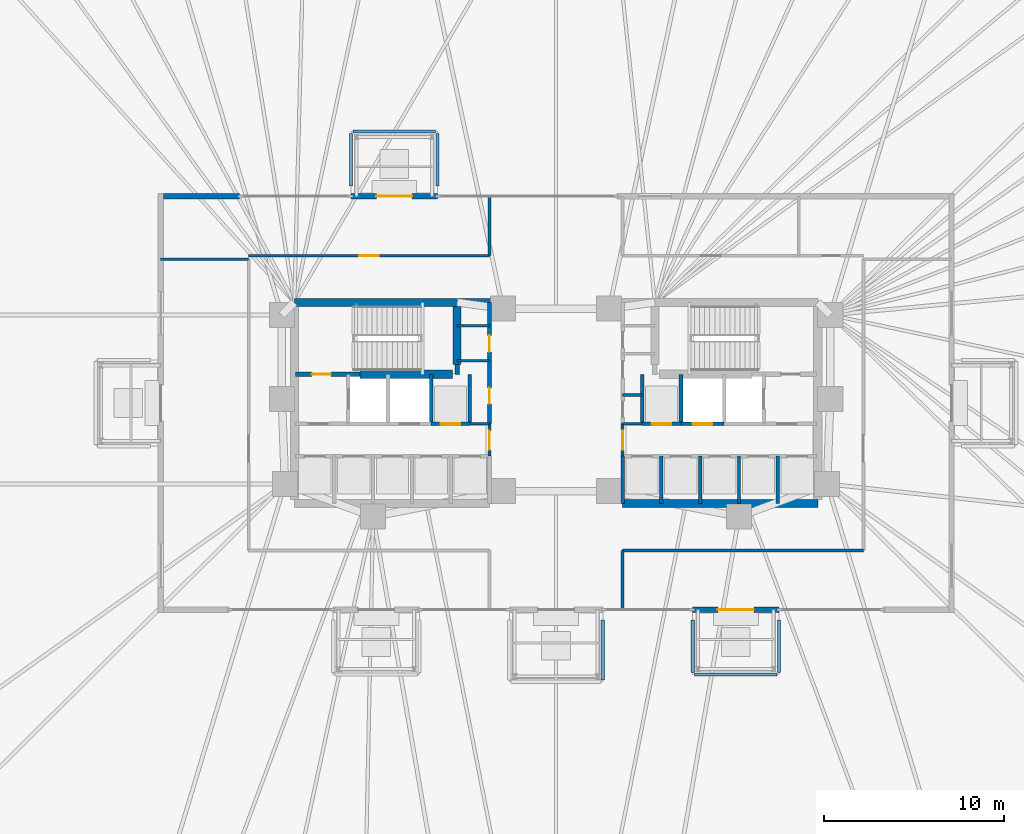
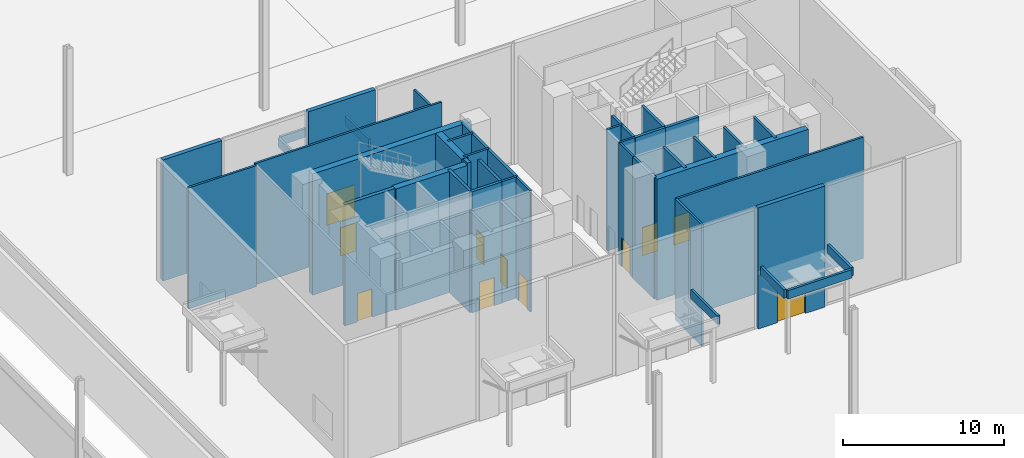
# One storey, part 19 of 24: 41 walls, 11 doors, 11 openings.
"""IFC4 building model written with IfcOpenShell, lengths in metres."""

from ifc_helpers import new_model, si_unit, direction, frame, frame_2d, origin, place, context, subcontext, project, spatial, rectangle, extrude, material, layer, layer_set, type_object, element, fill, save


model = new_model("IFC4")

# Units and contexts
model_context = context("Model", 3, precision=1e-05, world=origin(), true_north=direction((0.0, 1.0)))
body_context = subcontext(model_context, "Body", "Model", "MODEL_VIEW")
ifc_project = project(units=[si_unit("LENGTHUNIT", "METRE"), si_unit("AREAUNIT", "SQUARE_METRE"), si_unit("VOLUMEUNIT", "CUBIC_METRE"), si_unit("PLANEANGLEUNIT", "RADIAN"), si_unit("MASSUNIT", "GRAM", prefix="KILO")], contexts=[model_context])

# Site, building, storey
site_placement = place(None, origin())
site = spatial("IfcSite", under=ifc_project, at=site_placement, CompositionType="ELEMENT")
building_placement = place(site_placement, origin())
building = spatial("IfcBuilding", under=site, at=building_placement, Name="Menara Jurai Vektor", CompositionType="ELEMENT")
storey_placement = place(building_placement, origin())
storey = spatial("IfcBuildingStorey", under=building, at=storey_placement, Name="L00", CompositionType="ELEMENT", Elevation=0.0)

# Wall, opening, door
ifc_material_1 = material(Name="Insulated Pale Aluminium Spandrel Wall", Category="aluminium")
ifc_layer_1 = layer(ifc_material_1, 0.300048828125)
ifc_layer_set_1 = layer_set([ifc_layer_1], Name="Insulated Pale Aluminium Spandrel Wall")
wall_type_1 = type_object("IfcWallType", Name="ENV-WALL-EXT300", PredefinedType="STANDARD", material=ifc_layer_set_1)
wall_1_placement = place(storey_placement, frame((7.60009765625, -11.5, 0.0), z_axis=(0.0, 0.0, 1.0), x_axis=(1.0, 0.0, 0.0)))
wall_1 = element("IfcWall", 1, at=wall_1_placement, inside=storey, type_object=wall_type_1, Name="Ground Lobby External Wall S-E3", PredefinedType="STANDARD", context=body_context, shape_type="SweptSolid", body=[
    extrude(rectangle(XDim=4.7998046875, YDim=0.300048828125, at=frame_2d((2.39990234375, 0.0))), origin(), (0.0, 0.0, 1.0), 9.195068359375),
])
opening_1_placement = place(wall_1_placement, frame((1.39990234375, 0.0, 0.0)))
opening_1 = element("IfcOpeningElement", 2, at=opening_1_placement, cuts=wall_1, Name="Opening E3", PredefinedType="OPENING", context=body_context, shape_type="SweptSolid", body=[
    extrude(rectangle(XDim=2.0, YDim=2.39990234375, at=frame_2d((1.0, 1.199951171875))), frame((0.0, 0.16015625, 0.0), z_axis=(0.0, -1.0, 0.0), x_axis=(1.0, 0.0, 0.0)), (0.0, 0.0, 1.0), 0.320068359375),
])
ifc_material_2 = material(Name="Anodised Aluminium Double Glazed Entrance Door", Category="aluminium")
door_type_1 = type_object("IfcDoorType", Name="ENV-DOOR-ENT200", OperationType="NOTDEFINED", PredefinedType="DOOR", material=ifc_material_2)
door_1_placement = place(opening_1_placement, frame((2.0, 0.0, 0.0), z_axis=(0.0, 0.0, 1.0), x_axis=(-1.0, 0.0, 0.0)))
door_1 = element("IfcDoor", 3, at=door_1_placement, inside=storey, type_object=door_type_1, Name="Main Pedestrian Entrance Door E3", OperationType="DOUBLE_DOOR_SINGLE_SWING", OverallHeight=2.39990234375, OverallWidth=2.0, PredefinedType="DOOR", context=body_context, shape_type="SweptSolid", body=[
    extrude(rectangle(XDim=2.0, YDim=2.39990234375, at=frame_2d((1.0, 1.199951171875))), frame((0.0, 0.02490234375, 0.0), z_axis=(0.0, -1.0, 0.0), x_axis=(1.0, 0.0, 0.0)), (0.0, 0.0, 1.0), 0.050048828125),
])
fill(opening_1, door_1)

# Wall
wall_2_placement = place(storey_placement, frame((-21.85009765625, 11.5, 0.0), z_axis=(0.0, 0.0, 1.0), x_axis=(1.0, 0.0, 0.0)))
element("IfcWall", 4, at=wall_2_placement, inside=storey, type_object=wall_type_1, Name="Ground Lobby External Wall N-W1", PredefinedType="STANDARD", context=body_context, shape_type="SweptSolid", body=[
    extrude(rectangle(XDim=4.25, YDim=0.300048828125, at=frame_2d((2.125, 0.0))), origin(), (0.0, 0.0, 1.0), 9.195068359375),
])

# Wall, opening, door
wall_3_placement = place(storey_placement, frame((-11.39990234375, 11.5, 0.0), z_axis=(0.0, 0.0, 1.0), x_axis=(1.0, 0.0, 0.0)))
wall_3 = element("IfcWall", 5, at=wall_3_placement, inside=storey, type_object=wall_type_1, Name="Ground Lobby External Wall N-E4", PredefinedType="STANDARD", context=body_context, shape_type="SweptSolid", body=[
    extrude(rectangle(XDim=4.7998046875, YDim=0.300048828125, at=frame_2d((2.39990234375, 0.0))), origin(), (0.0, 0.0, 1.0), 9.195068359375),
])
opening_2_placement = place(wall_3_placement, frame((1.39990234375, 0.0, 0.0)))
opening_2 = element("IfcOpeningElement", 6, at=opening_2_placement, cuts=wall_3, Name="Opening E4", PredefinedType="OPENING", context=body_context, shape_type="SweptSolid", body=[
    extrude(rectangle(XDim=2.0, YDim=2.39990234375, at=frame_2d((1.0, 1.199951171875))), frame((0.0, 0.16015625, 0.0), z_axis=(0.0, -1.0, 0.0), x_axis=(1.0, 0.0, 0.0)), (0.0, 0.0, 1.0), 0.320068359375),
])
door_2_placement = place(opening_2_placement, origin())
door_2 = element("IfcDoor", 7, at=door_2_placement, inside=storey, type_object=door_type_1, Name="Main Pedestrian Entrance Door E4", OperationType="DOUBLE_DOOR_SINGLE_SWING", OverallHeight=2.39990234375, OverallWidth=2.0, PredefinedType="DOOR", context=body_context, shape_type="SweptSolid", body=[
    extrude(rectangle(XDim=2.0, YDim=2.39990234375, at=frame_2d((1.0, 1.199951171875))), frame((0.0, 0.02490234375, 0.0), z_axis=(0.0, -1.0, 0.0), x_axis=(1.0, 0.0, 0.0)), (0.0, 0.0, 1.0), 0.050048828125),
])
fill(opening_2, door_2)

# Walls
ifc_material_3 = material(Name="Concrete C40/50", Category="concrete")
ifc_layer_2 = layer(ifc_material_3, 0.179931640625)
ifc_layer_set_2 = layer_set([ifc_layer_2], Name="Concrete C40/50")
wall_type_2 = type_object("IfcWallType", Name="ENV-WALL-PARAPET180", PredefinedType="PARAPET", material=ifc_layer_set_2)
wall_4_placement = place(storey_placement, frame((2.60009765625, -15.40087890625, 4.3798828125), z_axis=(0.0, 0.0, 1.0), x_axis=(0.0, 1.0, 0.0)))
element("IfcWall", 8, at=wall_4_placement, inside=storey, type_object=wall_type_2, Name="Roof Parapet Wall L00-CAN-E2-01", PredefinedType="PARAPET", context=body_context, shape_type="SweptSolid", body=[
    extrude(rectangle(XDim=3.331787109375, YDim=0.179931640625, at=frame_2d((1.666015625, 0.0))), origin(), (0.0, 0.0, 1.0), 0.650146484375),
])
for number, where, z_axis, x_axis, name in (
    (9, (12.39990234375, -15.0009765625, 4.3798828125), (0.0, 0.0, 1.0), (0.0, 1.0, 0.0), "Roof Parapet Wall L00-CAN-E3-01"),
    (10, (7.60009765625, -12.069091796875, 4.3798828125), (0.0, 0.0, 1.0), (0.0, -1.0, 0.0), "Roof Parapet Wall L00-CAN-E3-03"),
):
    element("IfcWall", number, at=place(storey_placement, frame(where, z_axis=z_axis, x_axis=x_axis)), inside=storey, type_object=wall_type_2, Name=name, PredefinedType="PARAPET", context=body_context, shape_type="SweptSolid", body=[
        extrude(rectangle(XDim=2.931884765625, YDim=0.179931640625, at=frame_2d((1.4658203125, 0.0))), origin(), (0.0, 0.0, 1.0), 0.650146484375),
    ])
wall_5_placement = place(storey_placement, frame((7.698974609375, -15.10009765625, 4.3798828125), z_axis=(0.0, 0.0, 1.0), x_axis=(1.0, 0.0, 0.0)))
element("IfcWall", 11, at=wall_5_placement, inside=storey, type_object=wall_type_2, Name="Roof Parapet Wall L00-CAN-E3-04", PredefinedType="PARAPET", context=body_context, shape_type="SweptSolid", body=[
    extrude(rectangle(XDim=4.60205078125, YDim=0.179931640625, at=frame_2d((2.301025390625, 0.0))), origin(), (0.0, 0.0, 1.0), 0.650146484375),
])
wall_6_placement = place(storey_placement, frame((-6.60009765625, 12.069091796875, 4.3798828125), z_axis=(0.0, 0.0, 1.0), x_axis=(0.0, 1.0, 0.0)))
element("IfcWall", 12, at=wall_6_placement, inside=storey, type_object=wall_type_2, Name="Roof Parapet Wall L00-CAN-E4-01", PredefinedType="PARAPET", context=body_context, shape_type="SweptSolid", body=[
    extrude(rectangle(XDim=2.931884765625, YDim=0.179931640625, at=frame_2d((1.4658203125, 0.0))), origin(), (0.0, 0.0, 1.0), 0.650146484375),
])
wall_7_placement = place(storey_placement, frame((-6.698974609375, 15.10009765625, 4.3798828125), z_axis=(0.0, 0.0, 1.0), x_axis=(-1.0, 0.0, 0.0)))
element("IfcWall", 13, at=wall_7_placement, inside=storey, type_object=wall_type_2, Name="Roof Parapet Wall L00-CAN-E4-02", PredefinedType="PARAPET", context=body_context, shape_type="SweptSolid", body=[
    extrude(rectangle(XDim=4.60205078125, YDim=0.179931640625, at=frame_2d((2.301025390625, 0.0))), origin(), (0.0, 0.0, 1.0), 0.650146484375),
])
wall_8_placement = place(storey_placement, frame((-11.39990234375, 15.0009765625, 4.3798828125), z_axis=(0.0, 0.0, 1.0), x_axis=(0.0, -1.0, 0.0)))
element("IfcWall", 14, at=wall_8_placement, inside=storey, type_object=wall_type_2, Name="Roof Parapet Wall L00-CAN-E4-03", PredefinedType="PARAPET", context=body_context, shape_type="SweptSolid", body=[
    extrude(rectangle(XDim=2.931884765625, YDim=0.179931640625, at=frame_2d((1.4658203125, 0.0))), origin(), (0.0, 0.0, 1.0), 0.650146484375),
])

# Wall, opening, door
ifc_layer_3 = layer(ifc_material_3, 0.25)
ifc_layer_set_3 = layer_set([ifc_layer_3], Name="Concrete C40/50")
wall_type_3 = type_object("IfcWallType", Name="INT-WALL-CORE-250", PredefinedType="STANDARD", material=ifc_layer_set_3)
wall_9_placement = place(storey_placement, frame((-14.5, 1.60009765625, 0.0), z_axis=(0.0, 0.0, 1.0), x_axis=(1.0, 0.0, 0.0)))
wall_9 = element("IfcWall", 15, at=wall_9_placement, inside=storey, type_object=wall_type_3, Name="Interior Wall IW-250 L00", PredefinedType="STANDARD", context=body_context, shape_type="SweptSolid", body=[
    extrude(rectangle(XDim=3.60009765625, YDim=0.25, at=frame_2d((1.800048828125, 0.0))), origin(), (0.0, 0.0, 1.0), 9.199951171875),
])
opening_3_placement = place(wall_9_placement, frame((0.919921875, 0.0, 0.0)))
opening_3 = element("IfcOpeningElement", 16, at=opening_3_placement, cuts=wall_9, Name="Opening D-L00-ST1", PredefinedType="OPENING", context=body_context, shape_type="SweptSolid", body=[
    extrude(rectangle(XDim=1.050048828125, YDim=2.14990234375, at=frame_2d((0.52490234375, 1.074951171875))), frame((0.0, 0.135009765625, 0.0), z_axis=(0.0, -1.0, 0.0), x_axis=(1.0, 0.0, 0.0)), (0.0, 0.0, 1.0), 0.27001953125),
])
ifc_material_4 = material(Name="Fire-Rated Steel Door", Category="steel")
door_type_2 = type_object("IfcDoorType", Name="DR-STAIR-1050", OperationType="NOTDEFINED", PredefinedType="DOOR", material=ifc_material_4)
door_3_placement = place(opening_3_placement, frame((1.050048828125, 0.0, 0.0), z_axis=(0.0, 0.0, 1.0), x_axis=(-1.0, 0.0, 0.0)))
door_3 = element("IfcDoor", 17, at=door_3_placement, inside=storey, type_object=door_type_2, Name="Exit Stair ST1 Door L00", OperationType="SINGLE_SWING_RIGHT", OverallHeight=2.14990234375, OverallWidth=1.050048828125, PredefinedType="DOOR", context=body_context, shape_type="SweptSolid", body=[
    extrude(rectangle(XDim=1.050048828125, YDim=2.14990234375, at=frame_2d((0.52490234375, 1.074951171875))), frame((0.0, 0.02490234375, 0.0), z_axis=(0.0, -1.0, 0.0), x_axis=(1.0, 0.0, 0.0)), (0.0, 0.0, 1.0), 0.050048828125),
])
fill(opening_3, door_3)

# Wall
wall_10_placement = place(storey_placement, frame((-5.5, 1.60009765625, 0.0), z_axis=(0.0, 0.0, 1.0), x_axis=(0.0, 1.0, 0.0)))
element("IfcWall", 18, at=wall_10_placement, inside=storey, type_object=wall_type_3, Name="Interior Wall IW-250 L00", PredefinedType="STANDARD", context=body_context, shape_type="SweptSolid", body=[
    extrude(rectangle(XDim=0.5498046875, YDim=0.25, at=frame_2d((0.27490234375, 0.0))), origin(), (0.0, 0.0, 1.0), 9.199951171875),
])

# Wall, opening, door
ifc_material_5 = material(Name="Gypsum Fireboard Partition", Category="gypsum")
ifc_layer_4 = layer(ifc_material_5, 0.14990234375)
ifc_layer_set_4 = layer_set([ifc_layer_4], Name="Gypsum Fireboard Partition")
wall_type_4 = type_object("IfcWallType", Name="INT-WALL-CORR-150", PredefinedType="PARTITIONING", material=ifc_layer_set_4)
wall_11_placement = place(storey_placement, frame((-3.699951171875, -2.949951171875, 0.0), z_axis=(0.0, 0.0, 1.0), x_axis=(0.0, 1.0, 0.0)))
wall_11 = element("IfcWall", 19, at=wall_11_placement, inside=storey, type_object=wall_type_4, Name="Interior Wall IW-150 L00", PredefinedType="PARTITIONING", context=body_context, shape_type="SweptSolid", body=[
    extrude(rectangle(XDim=1.800048828125, YDim=0.14990234375, at=frame_2d((0.89990234375, 0.0))), origin(), (0.0, 0.0, 1.0), 9.199951171875),
])
opening_4_placement = place(wall_11_placement, frame((0.35009765625, 0.0, 0.0)))
opening_4 = element("IfcOpeningElement", 20, at=opening_4_placement, cuts=wall_11, Name="Opening D-L00-LLW", PredefinedType="OPENING", context=body_context, shape_type="SweptSolid", body=[
    extrude(rectangle(XDim=1.050048828125, YDim=2.179931640625, at=frame_2d((0.52490234375, 1.08984375))), frame((0.0, 0.0849609375, 0.0), z_axis=(0.0, -1.0, 0.0), x_axis=(1.0, 0.0, 0.0)), (0.0, 0.0, 1.0), 0.169921875),
])
ifc_material_6 = material(Name="Fire-Rated Timber Door", Category="wood")
door_type_3 = type_object("IfcDoorType", Name="DR-LOBBY-1050", OperationType="NOTDEFINED", PredefinedType="DOOR", material=ifc_material_6)
door_4_placement = place(opening_4_placement, frame((1.050048828125, 0.0, 0.0), z_axis=(0.0, 0.0, 1.0), x_axis=(-1.0, 0.0, 0.0)))
door_4 = element("IfcDoor", 21, at=door_4_placement, inside=storey, type_object=door_type_3, Name="Lift Lobby Corridor Door W L00", OperationType="SINGLE_SWING_LEFT", OverallHeight=2.179931640625, OverallWidth=1.050048828125, PredefinedType="DOOR", context=body_context, shape_type="SweptSolid", body=[
    extrude(rectangle(XDim=1.050048828125, YDim=2.179931640625, at=frame_2d((0.52490234375, 1.08984375))), frame((0.0, 0.02490234375, 0.0), z_axis=(0.0, -1.0, 0.0), x_axis=(1.0, 0.0, 0.0)), (0.0, 0.0, 1.0), 0.050048828125),
])
fill(opening_4, door_4)

# Wall
wall_12_placement = place(storey_placement, frame((-4.7900390625, -1.14990234375, 0.0), z_axis=(0.0, 0.0, 1.0), x_axis=(1.0, 0.0, 0.0)))
element("IfcWall", 22, at=wall_12_placement, inside=storey, type_object=wall_type_4, Name="Interior Wall IW-150 L00", PredefinedType="PARTITIONING", context=body_context, shape_type="SweptSolid", body=[
    extrude(rectangle(XDim=1.090087890625, YDim=0.14990234375, at=frame_2d((0.544921875, 0.0))), origin(), (0.0, 0.0, 1.0), 9.199951171875),
])

# Wall, opening, door
wall_13_placement = place(storey_placement, frame((3.699951171875, -2.949951171875, 0.0), z_axis=(0.0, 0.0, 1.0), x_axis=(0.0, 1.0, 0.0)))
wall_13 = element("IfcWall", 23, at=wall_13_placement, inside=storey, type_object=wall_type_4, Name="Interior Wall IW-150 L00", PredefinedType="PARTITIONING", context=body_context, shape_type="SweptSolid", body=[
    extrude(rectangle(XDim=1.800048828125, YDim=0.14990234375, at=frame_2d((0.89990234375, 0.0))), origin(), (0.0, 0.0, 1.0), 9.199951171875),
])
opening_5_placement = place(wall_13_placement, frame((0.35009765625, 0.0, 0.0)))
opening_5 = element("IfcOpeningElement", 24, at=opening_5_placement, cuts=wall_13, Name="Opening D-L00-LLE", PredefinedType="OPENING", context=body_context, shape_type="SweptSolid", body=[
    extrude(rectangle(XDim=1.050048828125, YDim=2.179931640625, at=frame_2d((0.52490234375, 1.08984375))), frame((0.0, 0.0849609375, 0.0), z_axis=(0.0, -1.0, 0.0), x_axis=(1.0, 0.0, 0.0)), (0.0, 0.0, 1.0), 0.169921875),
])
door_5_placement = place(opening_5_placement, origin())
door_5 = element("IfcDoor", 25, at=door_5_placement, inside=storey, type_object=door_type_3, Name="Lift Lobby Corridor Door E L00", OperationType="SINGLE_SWING_RIGHT", OverallHeight=2.179931640625, OverallWidth=1.050048828125, PredefinedType="DOOR", context=body_context, shape_type="SweptSolid", body=[
    extrude(rectangle(XDim=1.050048828125, YDim=2.179931640625, at=frame_2d((0.52490234375, 1.08984375))), frame((0.0, 0.02490234375, 0.0), z_axis=(0.0, -1.0, 0.0), x_axis=(1.0, 0.0, 0.0)), (0.0, 0.0, 1.0), 0.050048828125),
])
fill(opening_5, door_5)

# Walls
wall_14_placement = place(storey_placement, frame((3.699951171875, -1.14990234375, 0.0), z_axis=(0.0, 0.0, 1.0), x_axis=(1.0, 0.0, 0.0)))
element("IfcWall", 26, at=wall_14_placement, inside=storey, type_object=wall_type_4, Name="Interior Wall IW-150 L00", PredefinedType="PARTITIONING", context=body_context, shape_type="SweptSolid", body=[
    extrude(rectangle(XDim=1.090087890625, YDim=0.14990234375, at=frame_2d((0.544921875, 0.0))), origin(), (0.0, 0.0, 1.0), 9.199951171875),
])
for number, where, z_axis, x_axis, name in (
    (27, (-5.5, 4.300048828125, 0.0), (0.0, 0.0, 1.0), (1.0, 0.0, 0.0), "Interior Wall IW-150 L00"),
    (28, (-5.5, 2.35009765625, 0.0), (0.0, 0.0, 1.0), (1.0, 0.0, 0.0), "Interior Wall IW-150 L00"),
):
    element("IfcWall", number, at=place(storey_placement, frame(where, z_axis=z_axis, x_axis=x_axis)), inside=storey, type_object=wall_type_4, Name=name, PredefinedType="PARTITIONING", context=body_context, shape_type="SweptSolid", body=[
        extrude(rectangle(XDim=1.800048828125, YDim=0.14990234375, at=frame_2d((0.89990234375, 0.0))), origin(), (0.0, 0.0, 1.0), 9.199951171875),
    ])
wall_15_placement = place(storey_placement, frame((3.699951171875, 0.449951171875, 0.0), z_axis=(0.0, 0.0, 1.0), x_axis=(1.0, 0.0, 0.0)))
element("IfcWall", 29, at=wall_15_placement, inside=storey, type_object=wall_type_4, Name="Interior Wall IW-150 L00", PredefinedType="PARTITIONING", context=body_context, shape_type="SweptSolid", body=[
    extrude(rectangle(XDim=1.090087890625, YDim=0.14990234375, at=frame_2d((0.544921875, 0.0))), origin(), (0.0, 0.0, 1.0), 9.199951171875),
])

# Wall, opening, door
wall_16_placement = place(storey_placement, frame((-17.10009765625, 8.199951171875, 0.0), z_axis=(0.0, 0.0, 1.0), x_axis=(1.0, 0.0, 0.0)))
wall_16 = element("IfcWall", 30, at=wall_16_placement, inside=storey, type_object=wall_type_4, Name="Interior Wall IW-150 L00", PredefinedType="PARTITIONING", context=body_context, shape_type="SweptSolid", body=[
    extrude(rectangle(XDim=13.400146484375, YDim=0.14990234375, at=frame_2d((6.7001953125, 0.0))), origin(), (0.0, 0.0, 1.0), 9.199951171875),
])
opening_6_placement = place(wall_16_placement, frame((6.14990234375, 0.0, 0.0)))
opening_6 = element("IfcOpeningElement", 31, at=opening_6_placement, cuts=wall_16, Name="Opening D00-08", PredefinedType="OPENING", context=body_context, shape_type="SweptSolid", body=[
    extrude(rectangle(XDim=1.10009765625, YDim=2.14990234375, at=frame_2d((0.550048828125, 1.074951171875))), frame((0.0, 0.0849609375, 0.0), z_axis=(0.0, -1.0, 0.0), x_axis=(1.0, 0.0, 0.0)), (0.0, 0.0, 1.0), 0.169921875),
])
ifc_material_7 = material(Name="Fire-Rated Steel Plant Door", Category="steel")
door_type_4 = type_object("IfcDoorType", Name="DR-PLANT-1150", OperationType="NOTDEFINED", PredefinedType="DOOR", material=ifc_material_7)
door_6_placement = place(opening_6_placement, origin())
door_6 = element("IfcDoor", 32, at=door_6_placement, inside=storey, type_object=door_type_4, Name="Interior Door D00-08", OperationType="SINGLE_SWING_LEFT", OverallHeight=2.14990234375, OverallWidth=1.10009765625, PredefinedType="DOOR", context=body_context, shape_type="SweptSolid", body=[
    extrude(rectangle(XDim=1.10009765625, YDim=2.14990234375, at=frame_2d((0.550048828125, 1.074951171875))), frame((0.0, 0.02490234375, 0.0), z_axis=(0.0, -1.0, 0.0), x_axis=(1.0, 0.0, 0.0)), (0.0, 0.0, 1.0), 0.050048828125),
])
fill(opening_6, door_6)

# Walls
wall_17_placement = place(storey_placement, frame((3.699951171875, -11.5, 0.0), z_axis=(0.0, 0.0, 1.0), x_axis=(0.0, 1.0, 0.0)))
element("IfcWall", 33, at=wall_17_placement, inside=storey, type_object=wall_type_4, Name="Interior Wall IW-150 L00", PredefinedType="PARTITIONING", context=body_context, shape_type="SweptSolid", body=[
    extrude(rectangle(XDim=3.300048828125, YDim=0.14990234375, at=frame_2d((1.64990234375, 0.0))), origin(), (0.0, 0.0, 1.0), 9.199951171875),
])
wall_18_placement = place(storey_placement, frame((3.699951171875, -8.199951171875, 0.0), z_axis=(0.0, 0.0, 1.0), x_axis=(1.0, 0.0, 0.0)))
element("IfcWall", 34, at=wall_18_placement, inside=storey, type_object=wall_type_4, Name="Interior Wall IW-150 L00", PredefinedType="PARTITIONING", context=body_context, shape_type="SweptSolid", body=[
    extrude(rectangle(XDim=13.400146484375, YDim=0.14990234375, at=frame_2d((6.7001953125, 0.0))), origin(), (0.0, 0.0, 1.0), 9.199951171875),
])
wall_19_placement = place(storey_placement, frame((-22.0, 8.0, 0.0), z_axis=(0.0, 0.0, 1.0), x_axis=(1.0, 0.0, 0.0)))
element("IfcWall", 35, at=wall_19_placement, inside=storey, type_object=wall_type_4, Name="Interior Wall IW-150 L00", PredefinedType="PARTITIONING", context=body_context, shape_type="SweptSolid", body=[
    extrude(rectangle(XDim=4.89990234375, YDim=0.14990234375, at=frame_2d((2.449951171875, 0.0))), origin(), (0.0, 0.0, 1.0), 9.199951171875),
])
ifc_layer_5 = layer(ifc_material_5, 0.14990234375)
ifc_layer_set_5 = layer_set([ifc_layer_5], Name="Gypsum Fireboard Partition")
wall_type_5 = type_object("IfcWallType", Name="INT-WALL-CORR-150-H4", PredefinedType="PARTITIONING", material=ifc_layer_set_5)
wall_20_placement = place(storey_placement, frame((-3.699951171875, 8.199951171875, 0.0), z_axis=(0.0, 0.0, 1.0), x_axis=(0.0, 1.0, 0.0)))
element("IfcWall", 36, at=wall_20_placement, inside=storey, type_object=wall_type_5, Name="Interior Wall IW-150 L00", PredefinedType="PARTITIONING", context=body_context, shape_type="SweptSolid", body=[
    extrude(rectangle(XDim=3.300048828125, YDim=0.14990234375, at=frame_2d((1.64990234375, 0.0))), origin(), (0.0, 0.0, 1.0), 8.139892578125),
])

# Wall, openings, doors
ifc_layer_6 = layer(ifc_material_3, 0.199951171875)
ifc_layer_set_6 = layer_set([ifc_layer_6], Name="Concrete C40/50")
wall_type_6 = type_object("IfcWallType", Name="INT-WALL-SHAFT-200", PredefinedType="STANDARD", material=ifc_layer_set_6)
wall_21_placement = place(storey_placement, frame((-3.699951171875, -1.14990234375, 0.0), z_axis=(0.0, 0.0, 1.0), x_axis=(0.0, 1.0, 0.0)))
wall_21 = element("IfcWall", 37, at=wall_21_placement, inside=storey, type_object=wall_type_6, Name="Interior Wall IW-200 L00", PredefinedType="STANDARD", context=body_context, shape_type="SweptSolid", body=[
    extrude(rectangle(XDim=6.75, YDim=0.199951171875, at=frame_2d((3.375, 0.0))), origin(), (0.0, 0.0, 1.0), 9.199951171875),
])
opening_7_placement = place(wall_21_placement, frame((1.10009765625, 0.0, 0.0)))
opening_7 = element("IfcOpeningElement", 38, at=opening_7_placement, cuts=wall_21, Name="Opening D00-01", PredefinedType="OPENING", context=body_context, shape_type="SweptSolid", body=[
    extrude(rectangle(XDim=0.89990234375, YDim=2.14990234375, at=frame_2d((0.449951171875, 1.074951171875))), frame((0.0, 0.10986328125, 0.0), z_axis=(0.0, -1.0, 0.0), x_axis=(1.0, 0.0, 0.0)), (0.0, 0.0, 1.0), 0.219970703125),
])
opening_8_placement = place(wall_21_placement, frame((4.0, 0.0, 0.0)))
opening_8 = element("IfcOpeningElement", 39, at=opening_8_placement, cuts=wall_21, Name="Opening D00-02", PredefinedType="OPENING", context=body_context, shape_type="SweptSolid", body=[
    extrude(rectangle(XDim=0.919921875, YDim=2.14990234375, at=frame_2d((0.4599609375, 1.074951171875))), frame((0.0, 0.10986328125, 0.0), z_axis=(0.0, -1.0, 0.0), x_axis=(1.0, 0.0, 0.0)), (0.0, 0.0, 1.0), 0.219970703125),
])
ifc_material_8 = material(Name="Solid Core Timber Fire Door", Category="wood")
door_type_5 = type_object("IfcDoorType", Name="DR-ENTRY-950", OperationType="NOTDEFINED", PredefinedType="DOOR", material=ifc_material_8)
door_7_placement = place(opening_7_placement, origin())
door_7 = element("IfcDoor", 40, at=door_7_placement, inside=storey, type_object=door_type_5, Name="Interior Door D00-01", OperationType="SINGLE_SWING_LEFT", OverallHeight=2.14990234375, OverallWidth=0.89990234375, PredefinedType="DOOR", context=body_context, shape_type="SweptSolid", body=[
    extrude(rectangle(XDim=0.89990234375, YDim=2.14990234375, at=frame_2d((0.449951171875, 1.074951171875))), frame((0.0, 0.02490234375, 0.0), z_axis=(0.0, -1.0, 0.0), x_axis=(1.0, 0.0, 0.0)), (0.0, 0.0, 1.0), 0.050048828125),
])
fill(opening_7, door_7)
door_8_placement = place(opening_8_placement, origin())
door_8 = element("IfcDoor", 41, at=door_8_placement, inside=storey, type_object=door_type_5, Name="Interior Door D00-02", OperationType="SINGLE_SWING_LEFT", OverallHeight=2.14990234375, OverallWidth=0.919921875, PredefinedType="DOOR", context=body_context, shape_type="SweptSolid", body=[
    extrude(rectangle(XDim=0.919921875, YDim=2.14990234375, at=frame_2d((0.4599609375, 1.074951171875))), frame((0.0, 0.02490234375, 0.0), z_axis=(0.0, -1.0, 0.0), x_axis=(1.0, 0.0, 0.0)), (0.0, 0.0, 1.0), 0.050048828125),
])
fill(opening_8, door_8)

# Walls
for number, where, z_axis, x_axis, name in (
    (42, (-6.949951171875, -1.14990234375, 0.0), (0.0, 0.0, 1.0), (0.0, 1.0, 0.0), "Interior Wall IW-200 L00"),
    (43, (-4.7900390625, -1.14990234375, 0.0), (0.0, 0.0, 1.0), (0.0, 1.0, 0.0), "Interior Wall IW-200 L00"),
):
    element("IfcWall", number, at=place(storey_placement, frame(where, z_axis=z_axis, x_axis=x_axis)), inside=storey, type_object=wall_type_6, Name=name, PredefinedType="STANDARD", context=body_context, shape_type="SweptSolid", body=[
        extrude(rectangle(XDim=2.75, YDim=0.199951171875, at=frame_2d((1.375, 0.0))), origin(), (0.0, 0.0, 1.0), 9.199951171875),
    ])

# Wall, opening, door
wall_22_placement = place(storey_placement, frame((-6.949951171875, -1.14990234375, 0.0), z_axis=(0.0, 0.0, 1.0), x_axis=(1.0, 0.0, 0.0)))
wall_22 = element("IfcWall", 44, at=wall_22_placement, inside=storey, type_object=wall_type_6, Name="Interior Wall IW-200 L00", PredefinedType="STANDARD", context=body_context, shape_type="SweptSolid", body=[
    extrude(rectangle(XDim=2.159912109375, YDim=0.199951171875, at=frame_2d((1.080078125, 0.0))), origin(), (0.0, 0.0, 1.0), 9.199951171875),
])
opening_9_placement = place(wall_22_placement, frame((0.530029296875, 0.0, 0.0)))
opening_9 = element("IfcOpeningElement", 45, at=opening_9_placement, cuts=wall_22, Name="Opening LD-L00-PH2", PredefinedType="OPENING", context=body_context, shape_type="SweptSolid", body=[
    extrude(rectangle(XDim=1.10009765625, YDim=2.14990234375, at=frame_2d((0.550048828125, 1.074951171875))), frame((0.0, 0.10986328125, 0.0), z_axis=(0.0, -1.0, 0.0), x_axis=(1.0, 0.0, 0.0)), (0.0, 0.0, 1.0), 0.219970703125),
])
ifc_material_9 = material(Name="Anodised Stainless Sliding Lift Landing Door", Category="steel")
door_type_6 = type_object("IfcDoorType", Name="DR-LIFT-PASS-1100", OperationType="NOTDEFINED", PredefinedType="DOOR", material=ifc_material_9)
door_9_placement = place(opening_9_placement, origin())
door_9 = element("IfcDoor", 46, at=door_9_placement, inside=storey, type_object=door_type_6, Name="Lift Landing Door PH2 L00", OperationType="SLIDING_TO_RIGHT", OverallHeight=2.14990234375, OverallWidth=1.10009765625, PredefinedType="DOOR", context=body_context, shape_type="SweptSolid", body=[
    extrude(rectangle(XDim=1.10009765625, YDim=2.14990234375, at=frame_2d((0.550048828125, 1.074951171875))), frame((0.0, 0.02490234375, 0.0), z_axis=(0.0, -1.0, 0.0), x_axis=(1.0, 0.0, 0.0)), (0.0, 0.0, 1.0), 0.050048828125),
])
fill(opening_9, door_9)

# Walls
wall_23_placement = place(storey_placement, frame((3.699951171875, -5.60009765625, 0.0), z_axis=(0.0, 0.0, 1.0), x_axis=(0.0, 1.0, 0.0)))
element("IfcWall", 47, at=wall_23_placement, inside=storey, type_object=wall_type_6, Name="Interior Wall IW-200 L00", PredefinedType="STANDARD", context=body_context, shape_type="SweptSolid", body=[
    extrude(rectangle(XDim=2.650146484375, YDim=0.199951171875, at=frame_2d((1.3251953125, 0.0))), origin(), (0.0, 0.0, 1.0), 9.199951171875),
])
wall_24_placement = place(storey_placement, frame((6.949951171875, -1.14990234375, 0.0), z_axis=(0.0, 0.0, 1.0), x_axis=(0.0, 1.0, 0.0)))
element("IfcWall", 48, at=wall_24_placement, inside=storey, type_object=wall_type_6, Name="Interior Wall IW-200 L00", PredefinedType="STANDARD", context=body_context, shape_type="SweptSolid", body=[
    extrude(rectangle(XDim=2.75, YDim=0.199951171875, at=frame_2d((1.375, 0.0))), origin(), (0.0, 0.0, 1.0), 9.199951171875),
])

# Wall, opening, door
wall_25_placement = place(storey_placement, frame((6.949951171875, -1.14990234375, 0.0), z_axis=(0.0, 0.0, 1.0), x_axis=(1.0, 0.0, 0.0)))
wall_25 = element("IfcWall", 49, at=wall_25_placement, inside=storey, type_object=wall_type_6, Name="Interior Wall IW-200 L00", PredefinedType="STANDARD", context=body_context, shape_type="SweptSolid", body=[
    extrude(rectangle(XDim=2.400146484375, YDim=0.199951171875, at=frame_2d((1.2001953125, 0.0))), origin(), (0.0, 0.0, 1.0), 9.199951171875),
])
opening_10_placement = place(wall_25_placement, frame((0.64990234375, 0.0, 0.0)))
opening_10 = element("IfcOpeningElement", 50, at=opening_10_placement, cuts=wall_25, Name="Opening LD-L00-SVL2", PredefinedType="OPENING", context=body_context, shape_type="SweptSolid", body=[
    extrude(rectangle(XDim=1.10009765625, YDim=2.14990234375, at=frame_2d((0.550048828125, 1.074951171875))), frame((0.0, 0.10986328125, 0.0), z_axis=(0.0, -1.0, 0.0), x_axis=(1.0, 0.0, 0.0)), (0.0, 0.0, 1.0), 0.219970703125),
])
door_10_placement = place(opening_10_placement, origin())
door_10 = element("IfcDoor", 51, at=door_10_placement, inside=storey, type_object=door_type_6, Name="Lift Landing Door SVL2 L00", OperationType="SLIDING_TO_RIGHT", OverallHeight=2.14990234375, OverallWidth=1.10009765625, PredefinedType="DOOR", context=body_context, shape_type="SweptSolid", body=[
    extrude(rectangle(XDim=1.10009765625, YDim=2.14990234375, at=frame_2d((0.550048828125, 1.074951171875))), frame((0.0, 0.02490234375, 0.0), z_axis=(0.0, -1.0, 0.0), x_axis=(1.0, 0.0, 0.0)), (0.0, 0.0, 1.0), 0.050048828125),
])
fill(opening_10, door_10)

# Wall
wall_26_placement = place(storey_placement, frame((4.7900390625, -1.14990234375, 0.0), z_axis=(0.0, 0.0, 1.0), x_axis=(0.0, 1.0, 0.0)))
element("IfcWall", 52, at=wall_26_placement, inside=storey, type_object=wall_type_6, Name="Interior Wall IW-200 L00", PredefinedType="STANDARD", context=body_context, shape_type="SweptSolid", body=[
    extrude(rectangle(XDim=2.75, YDim=0.199951171875, at=frame_2d((1.375, 0.0))), origin(), (0.0, 0.0, 1.0), 9.199951171875),
])

# Wall, opening, door
wall_27_placement = place(storey_placement, frame((4.7900390625, -1.14990234375, 0.0), z_axis=(0.0, 0.0, 1.0), x_axis=(1.0, 0.0, 0.0)))
wall_27 = element("IfcWall", 53, at=wall_27_placement, inside=storey, type_object=wall_type_6, Name="Interior Wall IW-200 L00", PredefinedType="STANDARD", context=body_context, shape_type="SweptSolid", body=[
    extrude(rectangle(XDim=2.159912109375, YDim=0.199951171875, at=frame_2d((1.080078125, 0.0))), origin(), (0.0, 0.0, 1.0), 9.199951171875),
])
opening_11_placement = place(wall_27_placement, frame((0.530029296875, 0.0, 0.0)))
opening_11 = element("IfcOpeningElement", 54, at=opening_11_placement, cuts=wall_27, Name="Opening LD-L00-PH4", PredefinedType="OPENING", context=body_context, shape_type="SweptSolid", body=[
    extrude(rectangle(XDim=1.10009765625, YDim=2.14990234375, at=frame_2d((0.550048828125, 1.074951171875))), frame((0.0, 0.10986328125, 0.0), z_axis=(0.0, -1.0, 0.0), x_axis=(1.0, 0.0, 0.0)), (0.0, 0.0, 1.0), 0.219970703125),
])
door_11_placement = place(opening_11_placement, origin())
door_11 = element("IfcDoor", 55, at=door_11_placement, inside=storey, type_object=door_type_6, Name="Lift Landing Door PH4 L00", OperationType="SLIDING_TO_LEFT", OverallHeight=2.14990234375, OverallWidth=1.10009765625, PredefinedType="DOOR", context=body_context, shape_type="SweptSolid", body=[
    extrude(rectangle(XDim=1.10009765625, YDim=2.14990234375, at=frame_2d((0.550048828125, 1.074951171875))), frame((0.0, 0.02490234375, 0.0), z_axis=(0.0, -1.0, 0.0), x_axis=(1.0, 0.0, 0.0)), (0.0, 0.0, 1.0), 0.050048828125),
])
fill(opening_11, door_11)

# Walls
wall_28_placement = place(storey_placement, frame((5.860107421875, -5.60009765625, 0.0), z_axis=(0.0, 0.0, 1.0), x_axis=(0.0, 1.0, 0.0)))
element("IfcWall", 56, at=wall_28_placement, inside=storey, type_object=wall_type_6, Name="Interior Wall IW-200 L00", PredefinedType="STANDARD", context=body_context, shape_type="SweptSolid", body=[
    extrude(rectangle(XDim=2.650146484375, YDim=0.199951171875, at=frame_2d((1.3251953125, 0.0))), origin(), (0.0, 0.0, 1.0), 9.199951171875),
])
for number, where, z_axis, x_axis, name in (
    (57, (12.340087890625, -5.60009765625, 0.0), (0.0, 0.0, 1.0), (0.0, 1.0, 0.0), "Interior Wall IW-200 L00"),
    (58, (10.179931640625, -5.60009765625, 0.0), (0.0, 0.0, 1.0), (0.0, 1.0, 0.0), "Interior Wall IW-200 L00"),
    (59, (8.02001953125, -5.60009765625, 0.0), (0.0, 0.0, 1.0), (0.0, 1.0, 0.0), "Interior Wall IW-200 L00"),
):
    element("IfcWall", number, at=place(storey_placement, frame(where, z_axis=z_axis, x_axis=x_axis)), inside=storey, type_object=wall_type_6, Name=name, PredefinedType="STANDARD", context=body_context, shape_type="SweptSolid", body=[
        extrude(rectangle(XDim=2.650146484375, YDim=0.179931640625, at=frame_2d((1.3251953125, 0.0))), origin(), (0.0, 0.0, 1.0), 9.199951171875),
    ])
ifc_material_10 = material(Name="Concrete C60/75", Category="concrete")
ifc_layer_7 = layer(ifc_material_10, 0.449951171875)
ifc_layer_set_7 = layer_set([ifc_layer_7], Name="Concrete C60/75")
wall_type_7 = type_object("IfcWallType", Name="STR-WALL-CORE450", PredefinedType="SHEAR", material=ifc_layer_set_7)
wall_29_placement = place(storey_placement, frame((-14.56005859375, 5.60009765625, 0.0), z_axis=(0.0, 0.0, 1.0), x_axis=(1.0, 0.0, 0.0)))
element("IfcWall", 60, at=wall_29_placement, inside=storey, type_object=wall_type_7, Name="Core Shear Wall CW-W-N L00", PredefinedType="SHEAR", context=body_context, shape_type="SweptSolid", body=[
    extrude(rectangle(XDim=11.41015625, YDim=0.449951171875, at=frame_2d((5.705078125, 0.0))), origin(), (0.0, 0.0, 1.0), 9.199951171875),
])
wall_30_placement = place(storey_placement, frame((-5.5, 2.14990234375, 0.0), z_axis=(0.0, 0.0, 1.0), x_axis=(0.0, 1.0, 0.0)))
element("IfcWall", 61, at=wall_30_placement, inside=storey, type_object=wall_type_7, Name="Core Shear Wall CW-W-ST L00", PredefinedType="SHEAR", context=body_context, shape_type="SweptSolid", body=[
    extrude(rectangle(XDim=3.22509765625, YDim=0.449951171875, at=frame_2d((1.612548828125, 0.0))), origin(), (0.0, 0.0, 1.0), 9.199951171875),
])
wall_31_placement = place(storey_placement, frame((-10.89990234375, 1.60009765625, 0.0), z_axis=(0.0, 0.0, 1.0), x_axis=(1.0, 0.0, 0.0)))
element("IfcWall", 62, at=wall_31_placement, inside=storey, type_object=wall_type_7, Name="Core Shear Wall CW-W-STS L00", PredefinedType="SHEAR", context=body_context, shape_type="SweptSolid", body=[
    extrude(rectangle(XDim=5.14990234375, YDim=0.449951171875, at=frame_2d((2.574951171875, 0.0))), origin(), (0.0, 0.0, 1.0), 9.199951171875),
])
wall_32_placement = place(storey_placement, frame((3.699951171875, -5.60009765625, 0.0), z_axis=(0.0, 0.0, 1.0), x_axis=(1.0, 0.0, 0.0)))
element("IfcWall", 63, at=wall_32_placement, inside=storey, type_object=wall_type_7, Name="Core Shear Wall CW-E-S L00", PredefinedType="SHEAR", context=body_context, shape_type="SweptSolid", body=[
    extrude(rectangle(XDim=10.860107421875, YDim=0.449951171875, at=frame_2d((5.43017578125, 0.0))), origin(), (0.0, 0.0, 1.0), 9.199951171875),
])

save(model, "model.ifc")
